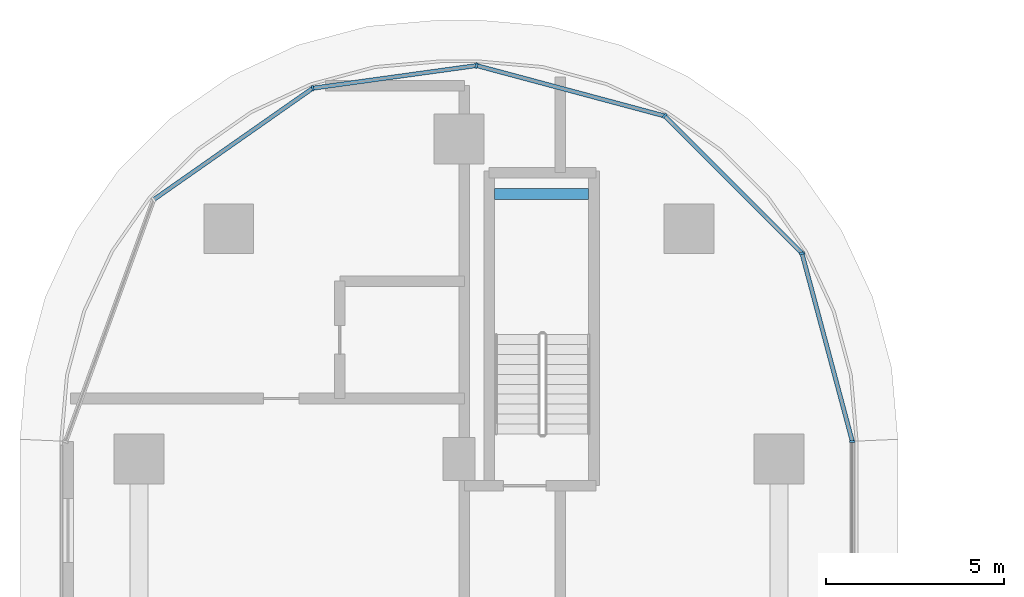
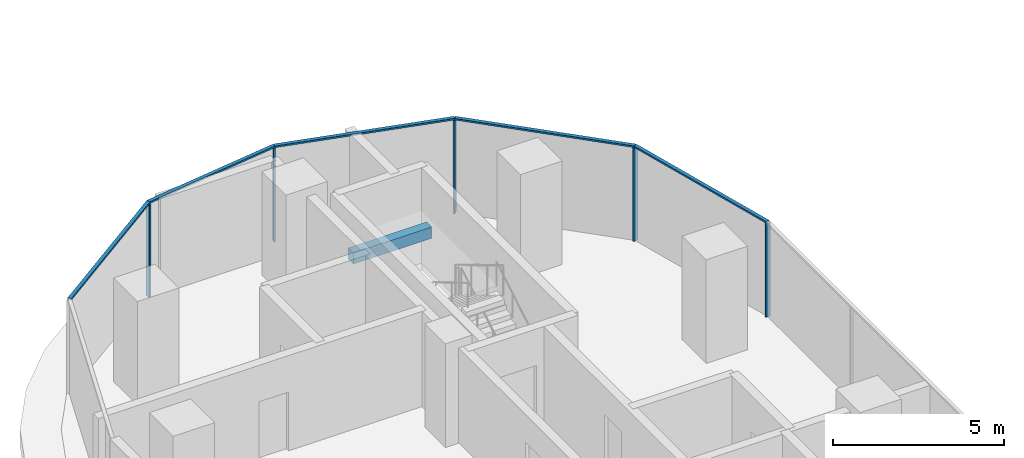
# One storey, part 7 of 36: 10 members, 1 beam, 2 elements without a shape of their own.
"""IFC4 building model written with IfcOpenShell, lengths in metres."""

import ifcopenshell
import ifcopenshell.guid

model = None  # the IFC model being written
_history = None  # IfcOwnerHistory: only IFC2X3 demands one
_inside = {}  # id of a spatial element -> (the spatial element, [elements in it])
_under = {}  # id of a project, library or spatial element -> (it, [spatial elements below it])
_declared = {}  # id of a project -> (the project, [libraries it declares])
_typed = {}  # id of a type object -> (the type object, [elements of that type])
_made_of = {}  # id of a material, layer set ... -> (it, [elements and type objects made of it])


def new_model(schema):
    """Start an empty IFC model of exactly this schema.

    Asked for "IFC4X3", IfcOpenShell would pick the latest addendum, in which some entities
    have other attributes; the version numbers below select the first issue.
    IFC2X3 requires an IfcOwnerHistory on every rooted entity: one is made here for all.
    """
    global model, _history
    if schema == "IFC4X3":
        model = ifcopenshell.file(schema_version=(4, 3, 0, 0))
    else:
        model = ifcopenshell.file(schema=schema)
    _inside.clear()
    _under.clear()
    _declared.clear()
    _typed.clear()
    _made_of.clear()
    _history = None
    if model.schema == "IFC2X3":
        org = make("IfcOrganization", Name="unknown")
        user = make(
            "IfcPersonAndOrganization",
            ThePerson=make("IfcPerson", FamilyName="unknown"),
            TheOrganization=org,
        )
        app = make(
            "IfcApplication",
            ApplicationDeveloper=org,
            Version="unknown",
            ApplicationFullName="unknown",
            ApplicationIdentifier="unknown",
        )
        _history = make(
            "IfcOwnerHistory",
            OwningUser=user,
            OwningApplication=app,
            ChangeAction="ADDED",
            CreationDate=0,
        )
    return model


def make(cls, **values):
    """One entity of the class cls with the attributes given. An attribute that is None is left unset."""
    return model.create_entity(
        cls, **{name: value for name, value in values.items() if value is not None}
    )


def rooted(cls, **values):
    """An entity with a GlobalId (a new one), such as an element, a storey or a relation."""
    return make(cls, GlobalId=ifcopenshell.guid.new(), OwnerHistory=_history, **values)


def si_unit(unit_type, name, prefix=None):
    """IfcSIUnit, for example si_unit("LENGTHUNIT", "METRE", prefix="MILLI")."""
    return make("IfcSIUnit", UnitType=unit_type, Prefix=prefix, Name=name)


def assignment(units):
    """IfcUnitAssignment: the units of a project."""
    return None if units is None else make("IfcUnitAssignment", Units=units)


def point(xyz):
    """IfcCartesianPoint."""
    return None if xyz is None else make("IfcCartesianPoint", Coordinates=xyz)


def direction(xyz):
    """IfcDirection."""
    return None if xyz is None else make("IfcDirection", DirectionRatios=xyz)


def frame(location, z_axis=None, x_axis=None):
    """IfcAxis2Placement3D, a coordinate frame: its origin and axes. An axis left out is left unset."""
    return make(
        "IfcAxis2Placement3D",
        Location=point(location),
        Axis=direction(z_axis),
        RefDirection=direction(x_axis),
    )


def frame_2d(location, x_axis=None):
    """IfcAxis2Placement2D, a coordinate frame in the plane: its origin and x axis."""
    return make(
        "IfcAxis2Placement2D", Location=point(location), RefDirection=direction(x_axis)
    )


def origin():
    """The frame at (0, 0, 0) with its axes left unset."""
    return frame((0.0, 0.0, 0.0))


def origin_2d():
    """The frame at (0, 0) in the plane with its x axis left unset."""
    return frame_2d((0.0, 0.0))


def place(relative_to, where):
    """IfcLocalPlacement: puts the frame where relative to a parent placement (None: the world)."""
    return make(
        "IfcLocalPlacement", PlacementRelTo=relative_to, RelativePlacement=where
    )


def context(
    kind, dimensions, precision=None, world=None, true_north=None, identifier=None
):
    """IfcGeometricRepresentationContext, for example the 3D "Model" context."""
    return make(
        "IfcGeometricRepresentationContext",
        ContextIdentifier=identifier,
        ContextType=kind,
        CoordinateSpaceDimension=dimensions,
        Precision=precision,
        WorldCoordinateSystem=world,
        TrueNorth=true_north,
    )


def subcontext(parent, identifier, kind, view, scale=None):
    """IfcGeometricRepresentationSubContext, for example "Body" below "Model"."""
    return make(
        "IfcGeometricRepresentationSubContext",
        ContextIdentifier=identifier,
        ContextType=kind,
        ParentContext=parent,
        TargetScale=scale,
        TargetView=view,
    )


def project(units=None, contexts=None):
    """IfcProject with its units and contexts."""
    return rooted(
        "IfcProject",
        Name="project",
        RepresentationContexts=contexts,
        UnitsInContext=assignment(units),
    )


def spatial(cls, under=None, at=None, **own):
    """A site, building, storey or space (cls), placed at a placement, below another one or the project."""
    s = rooted(cls, ObjectPlacement=at, **own)
    if under is not None:
        _under.setdefault(under.id(), (under, []))[1].append(s)
    return s


def profile(cls, at=None, kind="AREA", **sizes):
    """A parametric profile (cls). Its sizes go by their IFC names, for example OverallWidth=200.0."""
    return make(cls, ProfileType=kind, Position=at, **sizes)


def rectangle(**sizes):
    """IfcRectangleProfileDef."""
    return profile("IfcRectangleProfileDef", **sizes)


def extrude(swept, where, along, depth):
    """IfcExtrudedAreaSolid: the profile swept, set in the frame where, extruded along a direction by depth."""
    return make(
        "IfcExtrudedAreaSolid",
        SweptArea=swept,
        Position=where,
        ExtrudedDirection=direction(along),
        Depth=depth,
    )


def shape(context_of_items, identifier, shape_type, items):
    """IfcShapeRepresentation: the items that make up one representation, for example the "Body"."""
    return make(
        "IfcShapeRepresentation",
        ContextOfItems=context_of_items,
        RepresentationIdentifier=identifier,
        RepresentationType=shape_type,
        Items=items,
    )


def material(Name=None, Category=None):
    """IfcMaterial."""
    return make("IfcMaterial", Name=Name, Category=Category)


def material_profile(
    of_material, cross_section, Name=None, Category=None, Priority=None
):
    """IfcMaterialProfile: a cross section and its material."""
    return make(
        "IfcMaterialProfile",
        Name=Name,
        Material=of_material,
        Profile=cross_section,
        Priority=Priority,
        Category=Category,
    )


def profile_set(profiles, Name=None, composite=None):
    """IfcMaterialProfileSet."""
    return make(
        "IfcMaterialProfileSet",
        Name=Name,
        MaterialProfiles=profiles,
        CompositeProfile=composite,
    )


def made_of(thing, what):
    """Note that an element or type object is made of a material, layer set ...; save() writes the relation."""
    if what is not None:
        _made_of.setdefault(what.id(), (what, []))[1].append(thing)
    return thing


def type_object(cls, material=None, **own):
    """A type object (cls), such as IfcWallType, which elements share."""
    return made_of(rooted(cls, **own), material)


def element(
    cls,
    number,
    at=None,
    inside=None,
    cuts=None,
    type_object=None,
    material=None,
    context=None,
    identifier="Body",
    shape_type=None,
    held_by="IfcProductDefinitionShape",
    body=None,
    shapes=None,
    **own,
):
    """One element of the class cls, such as IfcWall. Its Tag is "e" and its number.

    at: its placement. inside: the storey or other place that contains it. cuts: it is an
    opening in that element (IfcRelVoidsElement). A single representation is given by context,
    identifier, shape_type and body (its items); several are given by shapes. held_by: the class
    of the entity that holds the representations. save() writes the other relations.
    """
    e = rooted(cls, Tag="e%d" % number, ObjectPlacement=at, **own)
    if body is not None:
        shapes = [shape(context, identifier, shape_type, body)]
    if shapes is not None:
        e.Representation = make(held_by, Representations=shapes)
    if inside is not None:
        _inside.setdefault(inside.id(), (inside, []))[1].append(e)
    if cuts is not None:
        rooted(
            "IfcRelVoidsElement", RelatingBuildingElement=cuts, RelatedOpeningElement=e
        )
    if type_object is not None:
        _typed.setdefault(type_object.id(), (type_object, []))[1].append(e)
    return made_of(e, material)


def aggregate(whole, parts):
    """IfcRelAggregates: a whole, such as a stair, and the parts it consists of."""
    return rooted("IfcRelAggregates", RelatingObject=whole, RelatedObjects=parts)


def save(model, path):
    """Write the relations noted so far, then the file.

    IfcRelAggregates (storeys below a building ...), IfcRelContainedInSpatialStructure (elements
    in a storey), IfcRelDefinesByType, IfcRelAssociatesMaterial and IfcRelDeclares: one each for
    every whole, place, type object, material and project.
    """
    for whole, parts in _under.values():
        aggregate(whole, parts)
    for where, things in _inside.values():
        rooted(
            "IfcRelContainedInSpatialStructure",
            RelatedElements=things,
            RelatingStructure=where,
        )
    for kind, things in _typed.values():
        rooted("IfcRelDefinesByType", RelatedObjects=things, RelatingType=kind)
    for what, things in _made_of.values():
        rooted("IfcRelAssociatesMaterial", RelatedObjects=things, RelatingMaterial=what)
    for by, libraries in _declared.values():
        rooted("IfcRelDeclares", RelatingContext=by, RelatedDefinitions=libraries)
    model.write(path)


model = new_model("IFC4")

# Units and contexts
model_context = context("Model", 3, precision=1e-05, world=origin(), true_north=direction((0.0, 1.0)))
body_context = subcontext(model_context, "Body", "Model", "MODEL_VIEW")
ifc_project = project(units=[si_unit("LENGTHUNIT", "METRE"), si_unit("AREAUNIT", "SQUARE_METRE"), si_unit("VOLUMEUNIT", "CUBIC_METRE"), si_unit("PLANEANGLEUNIT", "RADIAN"), si_unit("MASSUNIT", "GRAM", prefix="KILO")], contexts=[model_context])

# Site, building, storey
site_placement = place(None, origin())
site = spatial("IfcSite", under=ifc_project, at=site_placement, CompositionType="ELEMENT")
building_placement = place(site_placement, origin())
building = spatial("IfcBuilding", under=site, at=building_placement, Name="Ogive Portal Towers", CompositionType="ELEMENT")
storey_placement = place(building_placement, frame((0.0, 0.0, 52.0)))
storey = spatial("IfcBuildingStorey", under=building, at=storey_placement, Name="L11", CompositionType="ELEMENT", Elevation=52.0)

# Beam
ifc_material_1 = material(Name="Concrete C40/50", Category="concrete")
ifc_material_profile_1 = material_profile(ifc_material_1, rectangle(XDim=0.300048828125, YDim=0.39990234375, at=origin_2d()), Name="RC 300x400")
ifc_profile_set_1 = profile_set([ifc_material_profile_1], Name="Concrete C40/50")
beam_type = type_object("IfcBeamType", Name="BEAM RC 300x400", PredefinedType="BEAM", material=ifc_profile_set_1)
beam_placement = place(storey_placement, frame((41.5, 73.949951171875, 1.449951171875), z_axis=(1.0, 0.0, 0.0), x_axis=(0.0, 1.0, 0.0)))
element("IfcBeam", 1, at=beam_placement, inside=storey, type_object=beam_type, Name="Landing beam L11", PredefinedType="BEAM", context=body_context, shape_type="SweptSolid", body=[
    extrude(rectangle(XDim=0.300048828125, YDim=0.39990234375, at=origin_2d()), origin(), (0.0, 0.0, 1.0), 2.64990234375),
])

# Curtain wall, member
ifc_material_2 = material(Name="Glass, clear low-iron insulated glazing", Category="glass")
curtain_wall_type = type_object("IfcCurtainWallType", Name="CW FRONT RIBBON 4500", PredefinedType="NOTDEFINED", material=ifc_material_2)
curtain_wall_1_placement = place(storey_placement, origin())
curtain_wall_1 = element("IfcCurtainWall", 2, at=curtain_wall_1_placement, inside=storey, type_object=curtain_wall_type, Name="A:L11:f21:cw0", PredefinedType="NOTDEFINED")
ifc_material_3 = material(Name="Aluminium 6063 anodised", Category="aluminium")
ifc_material_profile_2 = material_profile(ifc_material_3, rectangle(XDim=0.159912109375, YDim=0.06005859375, at=origin_2d()), Name="AL 60x160")
ifc_profile_set_2 = profile_set([ifc_material_profile_2], Name="Aluminium 6063 anodised")
member_type_1 = type_object("IfcMemberType", Name="CW MULLION 60x160", PredefinedType="MULLION", material=ifc_profile_set_2)
member_1_placement = place(storey_placement, frame((51.56494140625, 66.989501953125, 0.0), z_axis=(0.0, 0.0, 1.0), x_axis=(-1.0, 0.0, 0.0)))
member_1 = element("IfcMember", 3, at=member_1_placement, type_object=member_type_1, Name="mullion", PredefinedType="MULLION", context=body_context, shape_type="SweptSolid", body=[
    extrude(rectangle(XDim=0.159912109375, YDim=0.06005859375, at=origin_2d()), origin(), (0.0, 0.0, 1.0), 3.340087890625),
])
aggregate(curtain_wall_1, [member_1])

# Curtain wall, members
curtain_wall_2_placement = place(storey_placement, origin())
curtain_wall_2 = element("IfcCurtainWall", 4, at=curtain_wall_2_placement, inside=storey, type_object=curtain_wall_type, Name="A:L11:f22:cwa", PredefinedType="NOTDEFINED")
member_2_placement = place(storey_placement, frame((50.147216796875, 72.281005859375, 0.0), z_axis=(0.0, 0.0, 1.0), x_axis=(-0.965925826289, -0.258819045103, 0.0)))
member_2 = element("IfcMember", 5, at=member_2_placement, type_object=member_type_1, Name="mullion", PredefinedType="MULLION", context=body_context, shape_type="SweptSolid", body=[
    extrude(rectangle(XDim=0.159912109375, YDim=0.06005859375, at=origin_2d()), origin(), (0.0, 0.0, 1.0), 3.340087890625),
])
member_3_placement = place(storey_placement, frame((46.281005859375, 76.147216796875, 0.0), z_axis=(0.0, 0.0, 1.0), x_axis=(-0.707106781187, -0.707106781187, 0.0)))
member_3 = element("IfcMember", 6, at=member_3_placement, type_object=member_type_1, Name="mullion", PredefinedType="MULLION", context=body_context, shape_type="SweptSolid", body=[
    extrude(rectangle(XDim=0.159912109375, YDim=0.06005859375, at=origin_2d()), origin(), (0.0, 0.0, 1.0), 3.340087890625),
])
member_4_placement = place(storey_placement, frame((40.994873046875, 77.5634765625, 0.0), z_axis=(0.0, 0.0, 1.0), x_axis=(-0.258819045103, -0.965925826289, 0.0)))
member_4 = element("IfcMember", 7, at=member_4_placement, type_object=member_type_1, Name="mullion", PredefinedType="MULLION", context=body_context, shape_type="SweptSolid", body=[
    extrude(rectangle(XDim=0.159912109375, YDim=0.06005859375, at=origin_2d()), origin(), (0.0, 0.0, 1.0), 3.340087890625),
])
member_5_placement = place(storey_placement, frame((36.38916015625, 76.926513671875, 0.0), z_axis=(0.0, 0.0, 1.0), x_axis=(0.137027216118, -0.990567282946, 0.0)))
member_5 = element("IfcMember", 8, at=member_5_placement, type_object=member_type_1, Name="mullion", PredefinedType="MULLION", context=body_context, shape_type="SweptSolid", body=[
    extrude(rectangle(XDim=0.159912109375, YDim=0.06005859375, at=origin_2d()), origin(), (0.0, 0.0, 1.0), 3.340087890625),
])
ifc_material_profile_3 = material_profile(ifc_material_3, rectangle(XDim=0.1201171875, YDim=0.06005859375, at=origin_2d()), Name="AL 120x60")
ifc_profile_set_3 = profile_set([ifc_material_profile_3], Name="Aluminium 6063 anodised")
member_type_2 = type_object("IfcMemberType", Name="CW TRANSOM 60x120", PredefinedType="USERDEFINED", material=ifc_profile_set_3)
member_6_placement = place(storey_placement, frame((51.56494140625, 66.989501953125, 3.3701171875), z_axis=(-0.258796973975, 0.965931739959, 0.0), x_axis=(-0.965931739959, -0.258796973975, 0.0)))
member_6 = element("IfcMember", 9, at=member_6_placement, type_object=member_type_2, Name="transom", ObjectType="TRANSOM", PredefinedType="USERDEFINED", context=body_context, shape_type="SweptSolid", body=[
    extrude(rectangle(XDim=0.1201171875, YDim=0.06005859375, at=origin_2d()), origin(), (0.0, 0.0, 1.0), 5.47802734375),
])
member_7_placement = place(storey_placement, frame((50.147216796875, 72.281005859375, 3.3701171875), z_axis=(-0.707106781187, 0.707106781187, 0.0), x_axis=(-0.707106781187, -0.707106781187, 0.0)))
member_7 = element("IfcMember", 10, at=member_7_placement, type_object=member_type_2, Name="transom", ObjectType="TRANSOM", PredefinedType="USERDEFINED", context=body_context, shape_type="SweptSolid", body=[
    extrude(rectangle(XDim=0.1201171875, YDim=0.06005859375, at=origin_2d()), origin(), (0.0, 0.0, 1.0), 5.467529296875),
])
member_8_placement = place(storey_placement, frame((46.281005859375, 76.147216796875, 3.3701171875), z_axis=(-0.965932918236, 0.258792576145, 0.0), x_axis=(-0.258792576145, -0.965932918236, 0.0)))
member_8 = element("IfcMember", 11, at=member_8_placement, type_object=member_type_2, Name="transom", ObjectType="TRANSOM", PredefinedType="USERDEFINED", context=body_context, shape_type="SweptSolid", body=[
    extrude(rectangle(XDim=0.1201171875, YDim=0.06005859375, at=origin_2d()), origin(), (0.0, 0.0, 1.0), 5.47265625),
])
member_9_placement = place(storey_placement, frame((40.994873046875, 77.5634765625, 3.3701171875), z_axis=(-0.990571803733, -0.136994531457, 0.0), x_axis=(0.136994531457, -0.990571803733, 0.0)))
member_9 = element("IfcMember", 12, at=member_9_placement, type_object=member_type_2, Name="transom", ObjectType="TRANSOM", PredefinedType="USERDEFINED", context=body_context, shape_type="SweptSolid", body=[
    extrude(rectangle(XDim=0.1201171875, YDim=0.06005859375, at=origin_2d()), origin(), (0.0, 0.0, 1.0), 4.649658203125),
])
member_10_placement = place(storey_placement, frame((36.38916015625, 76.926513671875, 3.3701171875), z_axis=(-0.819139574042, -0.573594245298, 0.0), x_axis=(0.573594245298, -0.819139574042, 0.0)))
member_10 = element("IfcMember", 13, at=member_10_placement, type_object=member_type_2, Name="transom", ObjectType="TRANSOM", PredefinedType="USERDEFINED", context=body_context, shape_type="SweptSolid", body=[
    extrude(rectangle(XDim=0.1201171875, YDim=0.06005859375, at=origin_2d()), origin(), (0.0, 0.0, 1.0), 5.465576171875),
])
aggregate(curtain_wall_2, [member_6, member_7, member_8, member_9, member_10, member_2, member_3, member_4, member_5])

save(model, "model.ifc")
